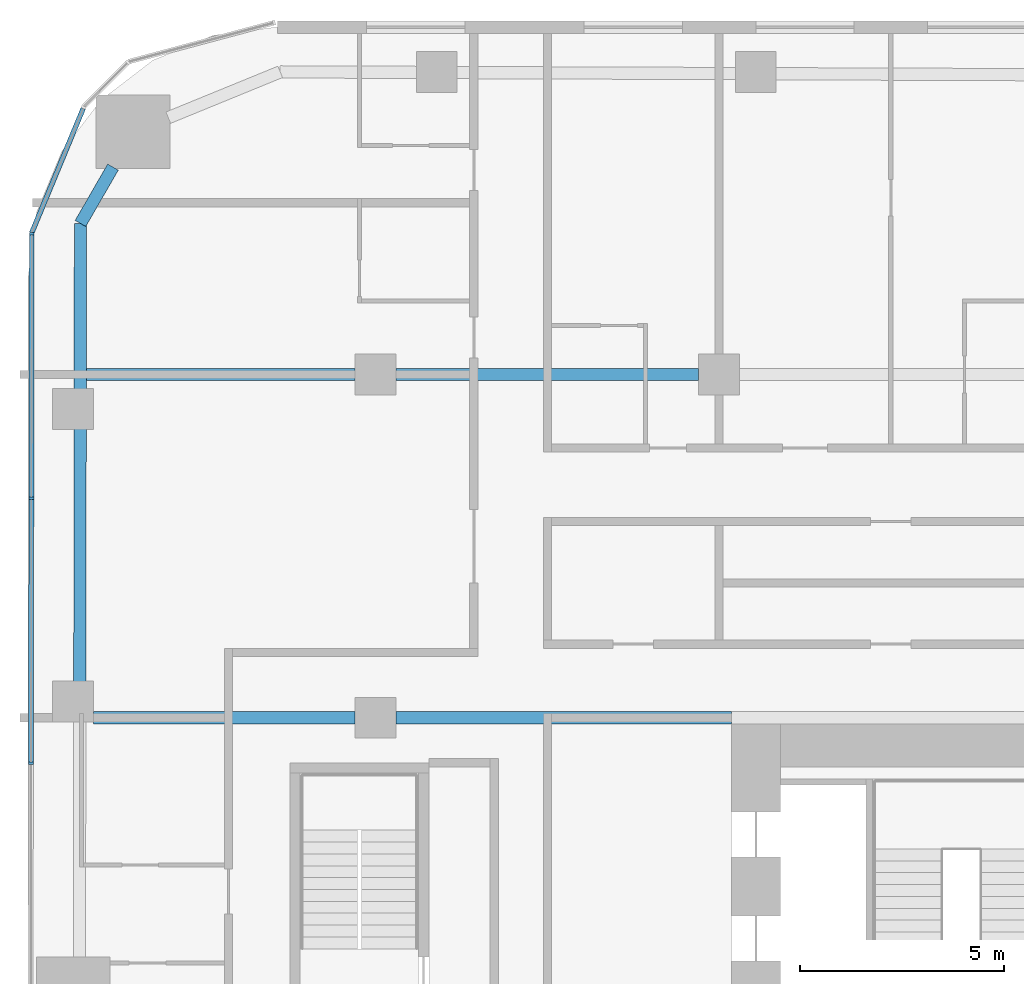
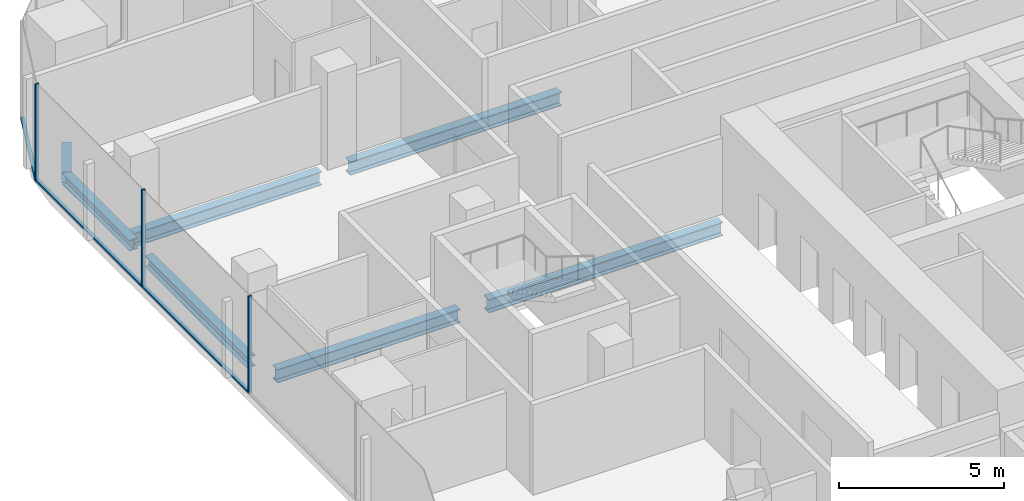
# One storey, part 8 of 26: 7 beams, 6 members, 2 elements without a shape of their own.
"""IFC4 building model written with IfcOpenShell, lengths in metres."""

from ifc_helpers import new_model, si_unit, direction, frame, origin, origin_2d, place, context, subcontext, project, spatial, rectangle, i_section, extrude, material, layer, layer_set, material_profile, profile_set, type_object, element, aggregate, save


model = new_model("IFC4")

# Units and contexts
model_context = context("Model", 3, precision=1e-05, world=origin(), true_north=direction((0.0, 1.0)))
body_context = subcontext(model_context, "Body", "Model", "MODEL_VIEW")
ifc_project = project(units=[si_unit("LENGTHUNIT", "METRE"), si_unit("AREAUNIT", "SQUARE_METRE"), si_unit("VOLUMEUNIT", "CUBIC_METRE"), si_unit("PLANEANGLEUNIT", "RADIAN"), si_unit("MASSUNIT", "GRAM", prefix="KILO")], contexts=[model_context])

# Site, building, storey
site_placement = place(None, origin())
site = spatial("IfcSite", under=ifc_project, at=site_placement, CompositionType="ELEMENT")
building_placement = place(site_placement, origin())
building = spatial("IfcBuilding", under=site, at=building_placement, Name="Marenta Gate Hotel Tower", CompositionType="ELEMENT")
storey_placement = place(building_placement, frame((0.0, 0.0, 79.699951171875)))
storey = spatial("IfcBuildingStorey", under=building, at=storey_placement, Name="L18", CompositionType="ELEMENT", Elevation=79.699951171875)

# Beams
ifc_material_1 = material(Name="Steel S355", Category="steel")
ifc_material_profile_1 = material_profile(ifc_material_1, i_section(OverallWidth=0.300048828125, OverallDepth=0.39990234375, WebThickness=0.013427734375, FlangeThickness=0.02392578125, FilletRadius=0.027099609375, at=origin_2d()), Name="HEB 400")
ifc_profile_set_1 = profile_set([ifc_material_profile_1], Name="Steel S355")
beam_type_1 = type_object("IfcBeamType", Name="Edge beam HEB 400", PredefinedType="SPANDREL", material=ifc_profile_set_1)
beam_1_placement = place(storey_placement, frame((-28.23681640625, 17.6630859375, -0.4599609375), z_axis=(0.001370827476, 0.999999060416, 0.0), x_axis=(-0.999999060416, 0.001370827476, 0.0)))
element("IfcBeam", 1, at=beam_1_placement, inside=storey, type_object=beam_type_1, Name="L18-EB-9", PredefinedType="SPANDREL", context=body_context, shape_type="SweptSolid", body=[
    extrude(i_section(OverallWidth=0.300048828125, OverallDepth=0.39990234375, WebThickness=0.013427734375, FlangeThickness=0.02392578125, FilletRadius=0.027099609375, at=origin_2d()), origin(), (0.0, 0.0, 1.0), 6.2333984375),
])
beam_2_placement = place(storey_placement, frame((-28.22705078125, 24.81640625, -0.4599609375), z_axis=(0.001377821732, 0.999999050803, 0.0), x_axis=(-0.999999050803, 0.001377821732, 0.0)))
element("IfcBeam", 2, at=beam_2_placement, inside=storey, type_object=beam_type_1, Name="L18-EB-10", PredefinedType="SPANDREL", context=body_context, shape_type="SweptSolid", body=[
    extrude(i_section(OverallWidth=0.300048828125, OverallDepth=0.39990234375, WebThickness=0.013427734375, FlangeThickness=0.02392578125, FilletRadius=0.027099609375, at=origin_2d()), origin(), (0.0, 0.0, 1.0), 4.075439453125),
])
beam_3_placement = place(storey_placement, frame((-28.221435546875, 28.891845703125, -0.4599609375), z_axis=(0.500098681536, 0.865968422476, 0.0), x_axis=(-0.865968422476, 0.500098681536, 0.0)))
element("IfcBeam", 3, at=beam_3_placement, inside=storey, type_object=beam_type_1, Name="L18-EB-11", PredefinedType="SPANDREL", context=body_context, shape_type="SweptSolid", body=[
    extrude(i_section(OverallWidth=0.300048828125, OverallDepth=0.39990234375, WebThickness=0.013427734375, FlangeThickness=0.02392578125, FilletRadius=0.027099609375, at=origin_2d()), origin(), (0.0, 0.0, 1.0), 1.591552734375),
])
ifc_material_2 = material(Name="Steel S355", Category="steel")
ifc_material_profile_2 = material_profile(ifc_material_2, i_section(OverallWidth=0.300048828125, OverallDepth=0.5, WebThickness=0.014404296875, FlangeThickness=0.028076171875, FilletRadius=0.027099609375, at=origin_2d()), Name="HEB 500")
ifc_profile_set_2 = profile_set([ifc_material_profile_2], Name="Steel S355")
beam_type_2 = type_object("IfcBeamType", Name="Girder HEB 500", PredefinedType="BEAM", material=ifc_profile_set_2)
beam_4_placement = place(storey_placement, frame((-27.89990234375, 16.800048828125, -0.510009765625), z_axis=(1.0, 0.0, 0.0), x_axis=(0.0, 1.0, 0.0)))
element("IfcBeam", 4, at=beam_4_placement, inside=storey, type_object=beam_type_2, Name="L18-GD-17", PredefinedType="BEAM", context=body_context, shape_type="SweptSolid", body=[
    extrude(i_section(OverallWidth=0.300048828125, OverallDepth=0.5, WebThickness=0.014404296875, FlangeThickness=0.028076171875, FilletRadius=0.027099609375, at=origin_2d()), origin(), (0.0, 0.0, 1.0), 6.39990234375),
])
beam_5_placement = place(storey_placement, frame((-20.5, 16.800048828125, -0.510009765625), z_axis=(1.0, 0.0, 0.0), x_axis=(0.0, 1.0, 0.0)))
element("IfcBeam", 5, at=beam_5_placement, inside=storey, type_object=beam_type_2, Name="L18-GD-18", PredefinedType="BEAM", context=body_context, shape_type="SweptSolid", body=[
    extrude(i_section(OverallWidth=0.300048828125, OverallDepth=0.5, WebThickness=0.014404296875, FlangeThickness=0.028076171875, FilletRadius=0.027099609375, at=origin_2d()), origin(), (0.0, 0.0, 1.0), 8.199951171875),
])
beam_6_placement = place(storey_placement, frame((-28.076416015625, 25.199951171875, -0.510009765625), z_axis=(1.0, 0.0, 0.0), x_axis=(0.0, 1.0, 0.0)))
element("IfcBeam", 6, at=beam_6_placement, inside=storey, type_object=beam_type_2, Name="L18-GD-22", PredefinedType="BEAM", context=body_context, shape_type="SweptSolid", body=[
    extrude(i_section(OverallWidth=0.300048828125, OverallDepth=0.5, WebThickness=0.014404296875, FlangeThickness=0.028076171875, FilletRadius=0.027099609375, at=origin_2d()), origin(), (0.0, 0.0, 1.0), 6.576416015625),
])
beam_7_placement = place(storey_placement, frame((-20.5, 25.199951171875, -0.510009765625), z_axis=(1.0, 0.0, 0.0), x_axis=(0.0, 1.0, 0.0)))
element("IfcBeam", 7, at=beam_7_placement, inside=storey, type_object=beam_type_2, Name="L18-GD-23", PredefinedType="BEAM", context=body_context, shape_type="SweptSolid", body=[
    extrude(i_section(OverallWidth=0.300048828125, OverallDepth=0.5, WebThickness=0.014404296875, FlangeThickness=0.028076171875, FilletRadius=0.027099609375, at=origin_2d()), origin(), (0.0, 0.0, 1.0), 7.39990234375),
])

# Curtain wall, members
ifc_material_3 = material(Name="Tinted insulated glass in bronze anodised frame", Category="glass")
ifc_layer = layer(ifc_material_3, 0.1201171875)
ifc_layer_set = layer_set([ifc_layer], Name="Tinted insulated glass in bronze anodised frame")
curtain_wall_type = type_object("IfcCurtainWallType", Name="Tower unitised curtain wall CW1", PredefinedType="NOTDEFINED", material=ifc_layer_set)
curtain_wall_1_placement = place(storey_placement, origin())
curtain_wall_1 = element("IfcCurtainWall", 8, at=curtain_wall_1_placement, inside=storey, type_object=curtain_wall_type, Name="CW1 run G03", PredefinedType="NOTDEFINED")
ifc_material_4 = material(Name="Bronze anodised aluminium", Category="aluminium")
ifc_material_profile_3 = material_profile(ifc_material_4, rectangle(XDim=0.1201171875, YDim=0.06005859375, at=origin_2d()), Name="Mullion CW1 60x120 bronze anodised aluminium")
ifc_profile_set_3 = profile_set([ifc_material_profile_3], Name="Bronze anodised aluminium")
member_type_1 = type_object("IfcMemberType", Name="Mullion CW1 60x120 bronze anodised aluminium", PredefinedType="MULLION", material=ifc_profile_set_3)
member_1_placement = place(storey_placement, frame((-29.412353515625, 28.63623046875, 0.0), z_axis=(0.0, 0.0, 1.0), x_axis=(0.99999877316, -0.00156642217, 0.0)))
member_1 = element("IfcMember", 9, at=member_1_placement, type_object=member_type_1, Name="CW1 mullion 1", PredefinedType="MULLION", context=body_context, shape_type="SweptSolid", body=[
    extrude(rectangle(XDim=0.1201171875, YDim=0.06005859375, at=origin_2d()), origin(), (0.0, 0.0, 1.0), 3.60009765625),
])
member_2_placement = place(storey_placement, frame((-29.42236328125, 22.17578125, 0.0), z_axis=(0.0, 0.0, 1.0), x_axis=(0.99999877316, -0.00156642217, 0.0)))
member_2 = element("IfcMember", 10, at=member_2_placement, type_object=member_type_1, Name="CW1 mullion 2", PredefinedType="MULLION", context=body_context, shape_type="SweptSolid", body=[
    extrude(rectangle(XDim=0.1201171875, YDim=0.06005859375, at=origin_2d()), origin(), (0.0, 0.0, 1.0), 3.60009765625),
])
member_3_placement = place(storey_placement, frame((-29.4326171875, 15.685546875, 0.0), z_axis=(0.0, 0.0, 1.0), x_axis=(0.99999877316, -0.00156642217, 0.0)))
member_3 = element("IfcMember", 11, at=member_3_placement, type_object=member_type_1, Name="CW1 mullion 3", PredefinedType="MULLION", context=body_context, shape_type="SweptSolid", body=[
    extrude(rectangle(XDim=0.1201171875, YDim=0.06005859375, at=origin_2d()), origin(), (0.0, 0.0, 1.0), 3.60009765625),
])

# Curtain wall, member
curtain_wall_2_placement = place(storey_placement, origin())
curtain_wall_2 = element("IfcCurtainWall", 12, at=curtain_wall_2_placement, inside=storey, type_object=curtain_wall_type, Name="CW1 run G02", PredefinedType="NOTDEFINED")
ifc_material_5 = material(Name="Bronze anodised aluminium", Category="aluminium")
ifc_material_profile_4 = material_profile(ifc_material_5, rectangle(XDim=0.1201171875, YDim=0.06005859375, at=origin_2d()), Name="Transom CW1 60x120 bronze anodised aluminium")
ifc_profile_set_4 = profile_set([ifc_material_profile_4], Name="Bronze anodised aluminium")
member_type_2 = type_object("IfcMemberType", Name="Transom CW1 60x120 bronze anodised aluminium", PredefinedType="USERDEFINED", material=ifc_profile_set_4)
member_4_placement = place(storey_placement, frame((-28.15380859375, 31.704345703125, 0.030029296875), z_axis=(-0.382716791654, -0.923865713936, 0.0), x_axis=(0.923865713936, -0.382716791654, 0.0)))
member_4 = element("IfcMember", 13, at=member_4_placement, type_object=member_type_2, Name="CW1 transom 1.1", ObjectType="TRANSOM", PredefinedType="USERDEFINED", context=body_context, shape_type="SweptSolid", body=[
    extrude(rectangle(XDim=0.1201171875, YDim=0.06005859375, at=origin_2d()), origin(), (0.0, 0.0, 1.0), 3.288330078125),
])
aggregate(curtain_wall_2, [member_4])

# Member
member_5_placement = place(storey_placement, frame((-29.412353515625, 28.606201171875, 0.030029296875), z_axis=(-0.001563928512, -0.999998777063, 0.0), x_axis=(0.999998777063, -0.001563928512, 0.0)))
member_5 = element("IfcMember", 14, at=member_5_placement, type_object=member_type_2, Name="CW1 transom 1.1", ObjectType="TRANSOM", PredefinedType="USERDEFINED", context=body_context, shape_type="SweptSolid", body=[
    extrude(rectangle(XDim=0.1201171875, YDim=0.06005859375, at=origin_2d()), origin(), (0.0, 0.0, 1.0), 6.400390625),
])

member_6_placement = place(storey_placement, frame((-29.422607421875, 22.145751953125, 0.030029296875), z_axis=(-0.001556684271, -0.999998788366, 0.0), x_axis=(0.999998788366, -0.001556684271, 0.0)))
member_6 = element("IfcMember", 15, at=member_6_placement, type_object=member_type_2, Name="CW1 transom 2.1", ObjectType="TRANSOM", PredefinedType="USERDEFINED", context=body_context, shape_type="SweptSolid", body=[
    extrude(rectangle(XDim=0.1201171875, YDim=0.06005859375, at=origin_2d()), origin(), (0.0, 0.0, 1.0), 6.43017578125),
])

aggregate(curtain_wall_1, [member_1, member_2, member_3, member_5, member_6])

save(model, "model.ifc")
